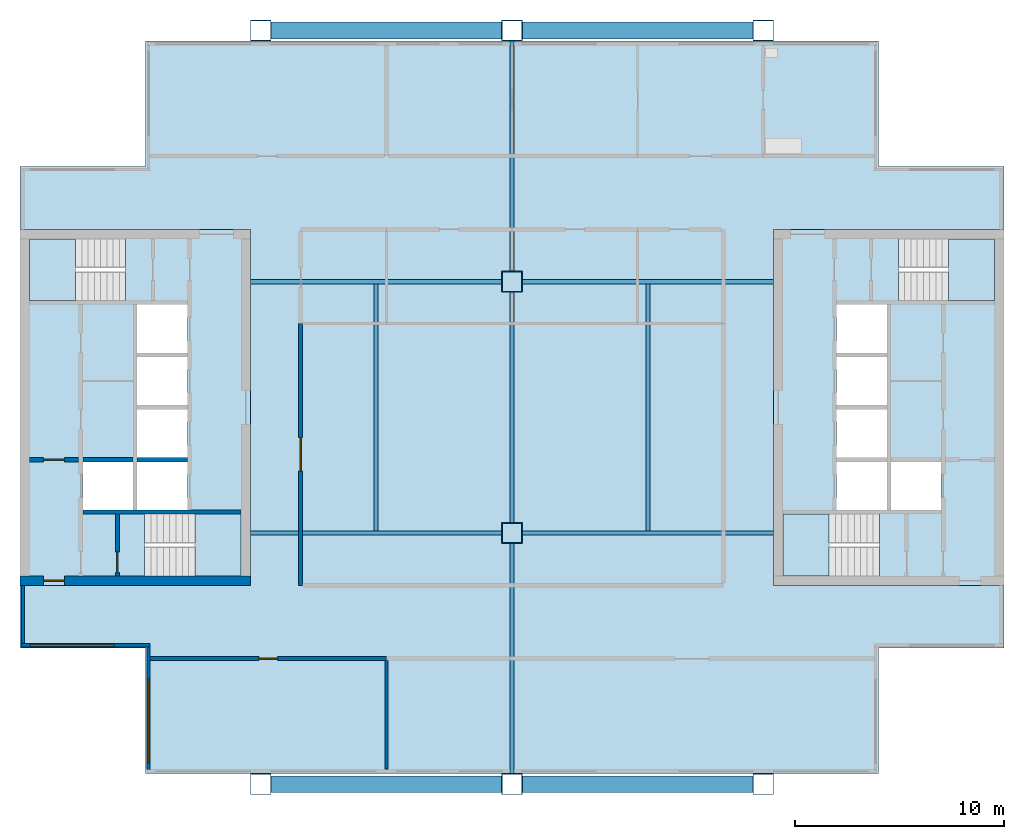
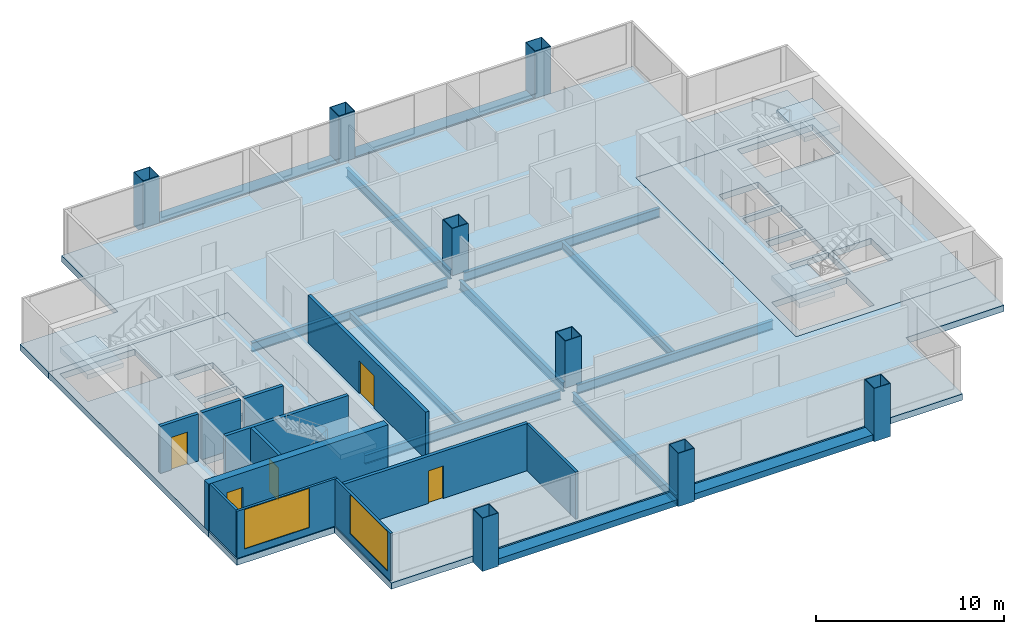
# One storey, part 1 of 7: 13 beams, 12 walls, 8 columns, 7 slabs, 5 doors, 2 windows, 7 openings, 4 elements without a shape of their own.
"""IFC4 building model written with IfcOpenShell, lengths in metres."""

from ifc_helpers import new_model, si_unit, direction, frame, frame_2d, origin, origin_2d, place, context, subcontext, project, spatial, polyline, rectangle, hollow_rectangle, i_section, outline, extrude, material, layer, layer_set, material_profile, profile_set, type_object, element, fill, aggregate, save


model = new_model("IFC4")

# Units and contexts
model_context = context("Model", 3, precision=1e-05, world=origin(), true_north=direction((0.0, 1.0)))
body_context = subcontext(model_context, "Body", "Model", "MODEL_VIEW")
ifc_project = project(units=[si_unit("LENGTHUNIT", "METRE"), si_unit("AREAUNIT", "SQUARE_METRE"), si_unit("VOLUMEUNIT", "CUBIC_METRE"), si_unit("PLANEANGLEUNIT", "RADIAN"), si_unit("MASSUNIT", "GRAM", prefix="KILO")], contexts=[model_context])

# Site, building, storey
site_placement = place(None, origin())
site = spatial("IfcSite", under=ifc_project, at=site_placement, CompositionType="ELEMENT")
building_placement = place(site_placement, origin())
building = spatial("IfcBuilding", under=site, at=building_placement, Name="Kitamizu Gate Tower and Museum", CompositionType="ELEMENT")
storey_placement = place(building_placement, frame((0.0, 0.0, 245.550048828125)))
storey = spatial("IfcBuildingStorey", under=building, at=storey_placement, Name="L66", CompositionType="ELEMENT", Elevation=245.550048828125)

# Columns
ifc_material_1 = material(Name="Steel SM490A bronze coated", Category="steel")
ifc_material_profile_1 = material_profile(ifc_material_1, hollow_rectangle(XDim=1.0, YDim=1.0, WallThickness=0.035888671875, at=origin_2d()), Name="BOX 1000x1000x36")
ifc_profile_set_1 = profile_set([ifc_material_profile_1], Name="Steel SM490A bronze coated")
column_type_1 = type_object("IfcColumnType", Name="Exoskeleton column XC9 BOX 1000x1000x36", PredefinedType="COLUMN", material=ifc_profile_set_1)
for number, where, z_axis, x_axis, name in (
    (1, (24.0, 12.0, -0.400146484375), (0.0, 0.0, 1.0), (1.0, 0.0, 0.0), "Column XC9 3B L66"),
    (2, (24.0, 48.0, -0.400146484375), (0.0, 0.0, 1.0), (1.0, 0.0, 0.0), "Column XC9 3E L66"),
    (3, (36.0, 12.0, -0.400146484375), (0.0, 0.0, 1.0), (1.0, 0.0, 0.0), "Column XC9 4B L66"),
    (4, (36.0, 48.0, -0.400146484375), (0.0, 0.0, 1.0), (1.0, 0.0, 0.0), "Column XC9 4E L66"),
    (5, (48.0, 12.0, -0.400146484375), (0.0, 0.0, 1.0), (1.0, 0.0, 0.0), "Column XC9 5B L66"),
    (6, (48.0, 48.0, -0.400146484375), (0.0, 0.0, 1.0), (1.0, 0.0, 0.0), "Column XC9 5E L66"),
):
    element("IfcColumn", number, at=place(storey_placement, frame(where, z_axis=z_axis, x_axis=x_axis)), inside=storey, type_object=column_type_1, Name=name, PredefinedType="COLUMN", context=body_context, shape_type="SweptSolid", body=[
        extrude(hollow_rectangle(XDim=1.0, YDim=1.0, WallThickness=0.035888671875, at=origin_2d()), origin(), (0.0, 0.0, 1.0), 3.4501953125),
    ])
ifc_material_2 = material(Name="Steel SM490A", Category="steel")
ifc_material_profile_2 = material_profile(ifc_material_2, hollow_rectangle(XDim=1.0, YDim=1.0, WallThickness=0.0400390625, at=origin_2d()), Name="BOX 1000x1000x40")
ifc_profile_set_2 = profile_set([ifc_material_profile_2], Name="Steel SM490A")
column_type_2 = type_object("IfcColumnType", Name="Interior column IC5 BOX 1000x1000x40", PredefinedType="COLUMN", material=ifc_profile_set_2)
for number, where, z_axis, x_axis, name in (
    (7, (36.0, 24.0, 0.0), (0.0, 0.0, 1.0), (1.0, 0.0, 0.0), "Column IC5 4C L66"),
    (8, (36.0, 36.0, 0.0), (0.0, 0.0, 1.0), (1.0, 0.0, 0.0), "Column IC5 4D L66"),
):
    element("IfcColumn", number, at=place(storey_placement, frame(where, z_axis=z_axis, x_axis=x_axis)), inside=storey, type_object=column_type_2, Name=name, PredefinedType="COLUMN", context=body_context, shape_type="SweptSolid", body=[
        extrude(hollow_rectangle(XDim=1.0, YDim=1.0, WallThickness=0.0400390625, at=origin_2d()), origin(), (0.0, 0.0, 1.0), 3.050048828125),
    ])

# Beams
ifc_material_3 = material(Name="Steel SM490A bronze coated", Category="steel")
ifc_material_profile_3 = material_profile(ifc_material_3, hollow_rectangle(XDim=0.800048828125, YDim=0.39990234375, WallThickness=0.0400390625, at=origin_2d()), Name="BOX 800x400x40")
ifc_profile_set_3 = profile_set([ifc_material_profile_3], Name="Steel SM490A bronze coated")
beam_type_1 = type_object("IfcBeamType", Name="Exoskeleton spandrel beam SB1 BOX 800x400x40", PredefinedType="SPANDREL", material=ifc_profile_set_3)
for number, where, z_axis, x_axis, name in (
    (9, (24.5, 12.0, -0.199951171875), (1.0, 0.0, 0.0), (0.0, 1.0, 0.0), "Exoskeleton spandrel beam south 24 L66"),
    (10, (36.5, 12.0, -0.199951171875), (1.0, 0.0, 0.0), (0.0, 1.0, 0.0), "Exoskeleton spandrel beam south 36 L66"),
    (11, (24.5, 48.0, -0.199951171875), (1.0, 0.0, 0.0), (0.0, 1.0, 0.0), "Exoskeleton spandrel beam north 24 L66"),
    (12, (36.5, 48.0, -0.199951171875), (1.0, 0.0, 0.0), (0.0, 1.0, 0.0), "Exoskeleton spandrel beam north 36 L66"),
):
    element("IfcBeam", number, at=place(storey_placement, frame(where, z_axis=z_axis, x_axis=x_axis)), inside=storey, type_object=beam_type_1, Name=name, PredefinedType="SPANDREL", context=body_context, shape_type="SweptSolid", body=[
        extrude(hollow_rectangle(XDim=0.800048828125, YDim=0.39990234375, WallThickness=0.0400390625, at=origin_2d()), origin(), (0.0, 0.0, 1.0), 11.0),
    ])
ifc_material_4 = material(Name="Steel SM490A", Category="steel")
ifc_material_profile_4 = material_profile(ifc_material_4, i_section(OverallWidth=0.199951171875, OverallDepth=0.5, WebThickness=0.010009765625, FlangeThickness=0.01611328125, FilletRadius=0.02001953125, at=origin_2d()), Name="H-500x200x10x16")
ifc_profile_set_4 = profile_set([ifc_material_profile_4], Name="Steel SM490A")
beam_type_2 = type_object("IfcBeamType", Name="Floor beam FB1 H 500x200x10x16", PredefinedType="BEAM", material=ifc_profile_set_4)
for number, where, z_axis, x_axis, name in (
    (13, (29.5, 24.10009765625, -0.650146484375), (0.0, 1.0, 0.0), (-1.0, 0.0, 0.0), "Floor beam FB1 L66-1"),
    (14, (42.5, 24.10009765625, -0.650146484375), (0.0, 1.0, 0.0), (-1.0, 0.0, 0.0), "Floor beam FB1 L66-2"),
):
    element("IfcBeam", number, at=place(storey_placement, frame(where, z_axis=z_axis, x_axis=x_axis)), inside=storey, type_object=beam_type_2, Name=name, PredefinedType="BEAM", context=body_context, shape_type="SweptSolid", body=[
        extrude(i_section(OverallWidth=0.199951171875, OverallDepth=0.5, WebThickness=0.010009765625, FlangeThickness=0.01611328125, FilletRadius=0.02001953125, at=origin_2d()), origin(), (0.0, 0.0, 1.0), 11.7998046875),
    ])
ifc_material_5 = material(Name="Steel SM490A", Category="steel")
ifc_material_profile_5 = material_profile(ifc_material_5, i_section(OverallWidth=0.199951171875, OverallDepth=0.60009765625, WebThickness=0.010986328125, FlangeThickness=0.01708984375, FilletRadius=0.02197265625, at=origin_2d()), Name="H-600x200x11x17")
ifc_profile_set_5 = profile_set([ifc_material_profile_5], Name="Steel SM490A")
beam_type_3 = type_object("IfcBeamType", Name="Floor girder FG1 H 600x200x11x17", PredefinedType="BEAM", material=ifc_profile_set_5)
for number, where, z_axis, x_axis, name in (
    (15, (36.0, 12.5, -0.699951171875), (0.0, 1.0, 0.0), (-1.0, 0.0, 0.0), "Floor girder FG1 x36 L66"),
    (16, (36.0, 24.5, -0.699951171875), (0.0, 1.0, 0.0), (-1.0, 0.0, 0.0), "Floor girder FG1 x36 L66"),
    (17, (36.0, 36.5, -0.699951171875), (0.0, 1.0, 0.0), (-1.0, 0.0, 0.0), "Floor girder FG1 x36 L66"),
):
    element("IfcBeam", number, at=place(storey_placement, frame(where, z_axis=z_axis, x_axis=x_axis)), inside=storey, type_object=beam_type_3, Name=name, PredefinedType="BEAM", context=body_context, shape_type="SweptSolid", body=[
        extrude(i_section(OverallWidth=0.199951171875, OverallDepth=0.60009765625, WebThickness=0.010986328125, FlangeThickness=0.01708984375, FilletRadius=0.02197265625, at=origin_2d()), origin(), (0.0, 0.0, 1.0), 11.0),
    ])
for number, where, z_axis, x_axis, name in (
    (18, (23.5, 24.0, -0.699951171875), (1.0, 0.0, 0.0), (0.0, 1.0, 0.0), "Floor girder FG1 y24 L66"),
    (19, (36.5, 24.0, -0.699951171875), (1.0, 0.0, 0.0), (0.0, 1.0, 0.0), "Floor girder FG1 y24 L66"),
    (20, (23.5, 36.0, -0.699951171875), (1.0, 0.0, 0.0), (0.0, 1.0, 0.0), "Floor girder FG1 y36 L66"),
    (21, (36.5, 36.0, -0.699951171875), (1.0, 0.0, 0.0), (0.0, 1.0, 0.0), "Floor girder FG1 y36 L66"),
):
    element("IfcBeam", number, at=place(storey_placement, frame(where, z_axis=z_axis, x_axis=x_axis)), inside=storey, type_object=beam_type_3, Name=name, PredefinedType="BEAM", context=body_context, shape_type="SweptSolid", body=[
        extrude(i_section(OverallWidth=0.199951171875, OverallDepth=0.60009765625, WebThickness=0.010986328125, FlangeThickness=0.01708984375, FilletRadius=0.02197265625, at=origin_2d()), origin(), (0.0, 0.0, 1.0), 12.0),
    ])

# Slabs
ifc_material_6 = material(Name="Concrete Fc36", Category="concrete")
ifc_layer_1 = layer(ifc_material_6, 0.39990234375)
ifc_layer_set_1 = layer_set([ifc_layer_1], Name="Concrete Fc36")
slab_type_1 = type_object("IfcSlabType", Name="Core floor slab 400", PredefinedType="FLOOR", material=ifc_layer_set_1)
slab_1_placement = place(storey_placement, frame((0.0, 0.0, -0.400146484375)))
element("IfcSlab", 22, at=slab_1_placement, inside=storey, type_object=slab_type_1, Name="Core floor slab W", PredefinedType="FLOOR", context=body_context, shape_type="SweptSolid", body=[
    extrude(outline(polyline([(12.5, 21.5), (23.5, 21.5), (23.5, 38.5), (12.5, 38.5), (12.5, 21.5)]), holes=[polyline([(15.5, 25.10009765625), (17.89990234375, 25.10009765625), (17.89990234375, 27.39990234375), (15.5, 27.39990234375), (15.5, 25.10009765625)]), polyline([(18.10009765625, 25.10009765625), (20.5, 25.10009765625), (20.5, 27.39990234375), (18.10009765625, 27.39990234375), (18.10009765625, 25.10009765625)]), polyline([(18.10009765625, 27.60009765625), (20.5, 27.60009765625), (20.5, 29.89990234375), (18.10009765625, 29.89990234375), (18.10009765625, 27.60009765625)]), polyline([(18.10009765625, 30.10009765625), (20.5, 30.10009765625), (20.5, 32.39990234375), (18.10009765625, 32.39990234375), (18.10009765625, 30.10009765625)]), polyline([(18.10009765625, 32.60009765625), (20.5, 32.60009765625), (20.5, 34.89990234375), (18.10009765625, 34.89990234375), (18.10009765625, 32.60009765625)]), polyline([(18.45068359375, 21.949951171875), (23.050048828125, 21.949951171875), (23.050048828125, 24.89990234375), (18.45068359375, 24.89990234375), (18.45068359375, 21.949951171875)]), polyline([(12.949951171875, 35.10009765625), (17.54931640625, 35.10009765625), (17.54931640625, 38.050048828125), (12.949951171875, 38.050048828125), (12.949951171875, 35.10009765625)])]), origin(), (0.0, 0.0, 1.0), 0.400146484375),
])
slab_2_placement = place(storey_placement, frame((0.0, 0.0, -0.400146484375)))
element("IfcSlab", 23, at=slab_2_placement, inside=storey, type_object=slab_type_1, Name="Core floor slab E", PredefinedType="FLOOR", context=body_context, shape_type="SweptSolid", body=[
    extrude(outline(polyline([(48.5, 21.5), (59.5, 21.5), (59.5, 38.5), (48.5, 38.5), (48.5, 21.5)]), holes=[polyline([(54.10009765625, 25.10009765625), (56.5, 25.10009765625), (56.5, 27.39990234375), (54.10009765625, 27.39990234375), (54.10009765625, 25.10009765625)]), polyline([(51.5, 25.10009765625), (53.89990234375, 25.10009765625), (53.89990234375, 27.39990234375), (51.5, 27.39990234375), (51.5, 25.10009765625)]), polyline([(51.5, 27.60009765625), (53.89990234375, 27.60009765625), (53.89990234375, 29.89990234375), (51.5, 29.89990234375), (51.5, 27.60009765625)]), polyline([(51.5, 30.10009765625), (53.89990234375, 30.10009765625), (53.89990234375, 32.39990234375), (51.5, 32.39990234375), (51.5, 30.10009765625)]), polyline([(51.5, 32.60009765625), (53.89990234375, 32.60009765625), (53.89990234375, 34.89990234375), (51.5, 34.89990234375), (51.5, 32.60009765625)]), polyline([(48.949951171875, 21.949951171875), (53.54931640625, 21.949951171875), (53.54931640625, 24.89990234375), (48.949951171875, 24.89990234375), (48.949951171875, 21.949951171875)]), polyline([(54.45068359375, 35.10009765625), (59.050048828125, 35.10009765625), (59.050048828125, 38.050048828125), (54.45068359375, 38.050048828125), (54.45068359375, 35.10009765625)])]), origin(), (0.0, 0.0, 1.0), 0.400146484375),
])
ifc_material_7 = material(Name="Concrete Fc36", Category="concrete")
ifc_layer_2 = layer(ifc_material_7, 0.39990234375)
ifc_layer_set_2 = layer_set([ifc_layer_2], Name="Concrete Fc36")
slab_type_2 = type_object("IfcSlabType", Name="Post tensioned flat slab 400", PredefinedType="FLOOR", material=ifc_layer_set_2)
slab_3_placement = place(storey_placement, frame((0.0, 0.0, -0.400146484375)))
element("IfcSlab", 24, at=slab_3_placement, inside=storey, type_object=slab_type_2, Name="Floor slab L66-1", PredefinedType="FLOOR", context=body_context, shape_type="SweptSolid", body=[
    extrude(outline(polyline([(12.5, 18.5), (12.5, 21.5), (23.5, 21.5), (23.5, 38.5), (12.5, 38.5), (12.5, 41.5), (18.5, 41.5), (18.5, 47.5), (53.5, 47.5), (53.5, 41.5), (59.5, 41.5), (59.5, 38.5), (48.5, 38.5), (48.5, 21.5), (59.5, 21.5), (59.5, 18.5), (53.5, 18.5), (53.5, 12.5), (18.5, 12.5), (18.5, 18.5), (12.5, 18.5)])), origin(), (0.0, 0.0, 1.0), 0.400146484375),
])

# Stair, slab
ifc_material_8 = material(Name="Concrete Fc42", Category="concrete")
stair_type = type_object("IfcStairType", Name="Exit stair 1375 wide 192 rise 300 going", PredefinedType="HALF_TURN_STAIR", material=ifc_material_8)
stair_1_placement = place(storey_placement, origin())
stair_1 = element("IfcStair", 25, at=stair_1_placement, inside=storey, type_object=stair_type, Name="Exit stair ST1", PredefinedType="HALF_TURN_STAIR")
ifc_material_9 = material(Name="Concrete Fc42", Category="concrete")
ifc_layer_3 = layer(ifc_material_9, 0.300048828125)
ifc_layer_set_3 = layer_set([ifc_layer_3], Name="Concrete Fc42")
slab_type_3 = type_object("IfcSlabType", Name="Stair landing 300", PredefinedType="LANDING", material=ifc_layer_set_3)
slab_4_placement = place(storey_placement, frame((0.0, 0.0, 1.425048828125)))
slab_4 = element("IfcSlab", 26, at=slab_4_placement, type_object=slab_type_3, Name="ST1 landing 1", PredefinedType="LANDING", context=body_context, shape_type="SweptSolid", body=[
    extrude(outline(polyline([(20.85009765625, 21.949951171875), (23.050048828125, 21.949951171875), (23.050048828125, 24.89990234375), (20.85009765625, 24.89990234375), (20.85009765625, 21.949951171875)])), origin(), (0.0, 0.0, 1.0), 0.2998046875),
])
aggregate(stair_1, [slab_4])

stair_2_placement = place(storey_placement, origin())
stair_2 = element("IfcStair", 27, at=stair_2_placement, inside=storey, type_object=stair_type, Name="Exit stair ST2", PredefinedType="HALF_TURN_STAIR")
slab_5_placement = place(storey_placement, frame((0.0, 0.0, 1.425048828125)))
slab_5 = element("IfcSlab", 28, at=slab_5_placement, type_object=slab_type_3, Name="ST2 landing 1", PredefinedType="LANDING", context=body_context, shape_type="SweptSolid", body=[
    extrude(outline(polyline([(12.949951171875, 35.10009765625), (15.14990234375, 35.10009765625), (15.14990234375, 38.050048828125), (12.949951171875, 38.050048828125), (12.949951171875, 35.10009765625)])), origin(), (0.0, 0.0, 1.0), 0.2998046875),
])
aggregate(stair_2, [slab_5])

stair_3_placement = place(storey_placement, origin())
stair_3 = element("IfcStair", 29, at=stair_3_placement, inside=storey, type_object=stair_type, Name="Exit stair ST3", PredefinedType="HALF_TURN_STAIR")
slab_6_placement = place(storey_placement, frame((0.0, 0.0, 1.425048828125)))
slab_6 = element("IfcSlab", 30, at=slab_6_placement, type_object=slab_type_3, Name="ST3 landing 1", PredefinedType="LANDING", context=body_context, shape_type="SweptSolid", body=[
    extrude(outline(polyline([(48.949951171875, 21.949951171875), (51.14990234375, 21.949951171875), (51.14990234375, 24.89990234375), (48.949951171875, 24.89990234375), (48.949951171875, 21.949951171875)])), origin(), (0.0, 0.0, 1.0), 0.2998046875),
])
aggregate(stair_3, [slab_6])

stair_4_placement = place(storey_placement, origin())
stair_4 = element("IfcStair", 31, at=stair_4_placement, inside=storey, type_object=stair_type, Name="Exit stair ST4", PredefinedType="HALF_TURN_STAIR")
slab_7_placement = place(storey_placement, frame((0.0, 0.0, 1.425048828125)))
slab_7 = element("IfcSlab", 32, at=slab_7_placement, type_object=slab_type_3, Name="ST4 landing 1", PredefinedType="LANDING", context=body_context, shape_type="SweptSolid", body=[
    extrude(outline(polyline([(56.85009765625, 35.10009765625), (59.050048828125, 35.10009765625), (59.050048828125, 38.050048828125), (56.85009765625, 38.050048828125), (56.85009765625, 35.10009765625)])), origin(), (0.0, 0.0, 1.0), 0.2998046875),
])
aggregate(stair_4, [slab_7])

# Wall, opening, door
ifc_material_10 = material(Name="Concrete Fc42", Category="concrete")
ifc_layer_4 = layer(ifc_material_10, 0.449951171875)
ifc_layer_set_4 = layer_set([ifc_layer_4], Name="Concrete Fc42")
wall_type_1 = type_object("IfcWallType", Name="Core wall 450", PredefinedType="SHEAR", material=ifc_layer_set_4)
wall_1_placement = place(storey_placement, frame((12.5, 21.72509765625, 0.0), z_axis=(0.0, 0.0, 1.0), x_axis=(1.0, 0.0, 0.0)))
wall_1 = element("IfcWall", 33, at=wall_1_placement, inside=storey, type_object=wall_type_1, Name="Core wall WS", PredefinedType="SHEAR", context=body_context, shape_type="SweptSolid", body=[
    extrude(rectangle(XDim=11.0, YDim=0.449951171875, at=frame_2d((5.5, 0.0))), origin(), (0.0, 0.0, 1.0), 3.050048828125),
])
opening_1_placement = place(wall_1_placement, frame((1.125, 0.0, 0.0)))
opening_1 = element("IfcOpeningElement", 34, at=opening_1_placement, cuts=wall_1, Name="Opening L66-018", PredefinedType="OPENING", context=body_context, shape_type="SweptSolid", body=[
    extrude(rectangle(XDim=1.0, YDim=2.10009765625, at=frame_2d((0.5, 1.050048828125))), frame((0.0, 0.23486328125, 0.0), z_axis=(0.0, -1.0, 0.0), x_axis=(1.0, 0.0, 0.0)), (0.0, 0.0, 1.0), 0.469970703125),
])
ifc_material_11 = material(Name="Hollow metal door set")
door_type_1 = type_object("IfcDoorType", Name="Fire door 1000", OperationType="NOTDEFINED", PredefinedType="DOOR", material=ifc_material_11)
door_1_placement = place(opening_1_placement, origin())
door_1 = element("IfcDoor", 35, at=door_1_placement, inside=storey, type_object=door_type_1, Name="Fire-fighting lobby door L66-018", OperationType="SINGLE_SWING_LEFT", OverallHeight=2.10009765625, OverallWidth=1.0, PredefinedType="DOOR", context=body_context, shape_type="SweptSolid", body=[
    extrude(rectangle(XDim=1.0, YDim=2.10009765625, at=frame_2d((0.5, 1.050048828125))), frame((0.0, 0.02490234375, 0.0), z_axis=(0.0, -1.0, 0.0), x_axis=(1.0, 0.0, 0.0)), (0.0, 0.0, 1.0), 0.050048828125),
])
fill(opening_1, door_1)

# Wall
ifc_material_12 = material(Name="Gypsum board on galvanised stud")
ifc_layer_5 = layer(ifc_material_12, 0.14990234375)
ifc_layer_set_5 = layer_set([ifc_layer_5], Name="Gypsum board on galvanised stud")
wall_type_2 = type_object("IfcWallType", Name="Partition 150", PredefinedType="PARTITIONING", material=ifc_layer_set_5)
wall_2_placement = place(storey_placement, frame((30.0, 12.719970703125, 0.0), z_axis=(0.0, 0.0, 1.0), x_axis=(0.0, 1.0, 0.0)))
element("IfcWall", 36, at=wall_2_placement, inside=storey, type_object=wall_type_2, Name="Partition L66-010", PredefinedType="PARTITIONING", context=body_context, shape_type="SweptSolid", body=[
    extrude(rectangle(XDim=5.179931640625, YDim=0.14990234375, at=frame_2d((2.58984375, 0.0))), origin(), (0.0, 0.0, 1.0), 3.050048828125),
])

# Wall, opening, door
ifc_material_13 = material(Name="Gypsum board on galvanised stud")
ifc_layer_6 = layer(ifc_material_13, 0.199951171875)
ifc_layer_set_6 = layer_set([ifc_layer_6], Name="Gypsum board on galvanised stud")
wall_type_3 = type_object("IfcWallType", Name="Partition 200", PredefinedType="PARTITIONING", material=ifc_layer_set_6)
wall_3_placement = place(storey_placement, frame((30.0, 18.0, 0.0), z_axis=(0.0, 0.0, 1.0), x_axis=(-1.0, 0.0, 0.0)))
wall_3 = element("IfcWall", 37, at=wall_3_placement, inside=storey, type_object=wall_type_3, Name="Partition L66-011", PredefinedType="PARTITIONING", context=body_context, shape_type="SweptSolid", body=[
    extrude(rectangle(XDim=11.280029296875, YDim=0.199951171875, at=frame_2d((5.64013671875, 0.0))), origin(), (0.0, 0.0, 1.0), 3.050048828125),
])
opening_2_placement = place(wall_3_placement, frame((5.18994140625, 0.0, 0.0)))
opening_2 = element("IfcOpeningElement", 38, at=opening_2_placement, cuts=wall_3, Name="Opening L66-006", PredefinedType="OPENING", context=body_context, shape_type="SweptSolid", body=[
    extrude(rectangle(XDim=0.89990234375, YDim=2.10009765625, at=frame_2d((0.449951171875, 1.050048828125))), frame((0.0, 0.10986328125, 0.0), z_axis=(0.0, -1.0, 0.0), x_axis=(1.0, 0.0, 0.0)), (0.0, 0.0, 1.0), 0.219970703125),
])
ifc_material_14 = material(Name="Timber door set", Category="wood")
door_type_2 = type_object("IfcDoorType", Name="Room door 900", OperationType="NOTDEFINED", PredefinedType="DOOR", material=ifc_material_14)
door_2_placement = place(opening_2_placement, origin())
door_2 = element("IfcDoor", 39, at=door_2_placement, inside=storey, type_object=door_type_2, Name="Door L66-006", OperationType="SINGLE_SWING_LEFT", OverallHeight=2.10009765625, OverallWidth=0.89990234375, PredefinedType="DOOR", context=body_context, shape_type="SweptSolid", body=[
    extrude(rectangle(XDim=0.89990234375, YDim=2.10009765625, at=frame_2d((0.449951171875, 1.050048828125))), frame((0.0, 0.02490234375, 0.0), z_axis=(0.0, -1.0, 0.0), x_axis=(1.0, 0.0, 0.0)), (0.0, 0.0, 1.0), 0.050048828125),
])
fill(opening_2, door_2)

wall_4_placement = place(storey_placement, frame((25.89990234375, 34.0, 0.0), z_axis=(0.0, 0.0, 1.0), x_axis=(0.0, -1.0, 0.0)))
wall_4 = element("IfcWall", 40, at=wall_4_placement, inside=storey, type_object=wall_type_3, Name="Partition L66-014", PredefinedType="PARTITIONING", context=body_context, shape_type="SweptSolid", body=[
    extrude(rectangle(XDim=12.5, YDim=0.199951171875, at=frame_2d((6.25, 0.0))), origin(), (0.0, 0.0, 1.0), 3.050048828125),
])
opening_3_placement = place(wall_4_placement, frame((5.449951171875, 0.0, 0.0)))
opening_3 = element("IfcOpeningElement", 41, at=opening_3_placement, cuts=wall_4, Name="Opening L66-008", PredefinedType="OPENING", context=body_context, shape_type="SweptSolid", body=[
    extrude(rectangle(XDim=1.60009765625, YDim=2.10009765625, at=frame_2d((0.800048828125, 1.050048828125))), frame((0.0, 0.10986328125, 0.0), z_axis=(0.0, -1.0, 0.0), x_axis=(1.0, 0.0, 0.0)), (0.0, 0.0, 1.0), 0.219970703125),
])
ifc_material_15 = material(Name="Timber door set", Category="wood")
door_type_3 = type_object("IfcDoorType", Name="Double door 1600", OperationType="DOUBLE_DOOR_SINGLE_SWING", PredefinedType="DOOR", material=ifc_material_15)
door_3_placement = place(opening_3_placement, origin())
door_3 = element("IfcDoor", 42, at=door_3_placement, inside=storey, type_object=door_type_3, Name="Double door L66-008", OperationType="DOUBLE_DOOR_SINGLE_SWING", OverallHeight=2.10009765625, OverallWidth=1.60009765625, PredefinedType="DOOR", context=body_context, shape_type="SweptSolid", body=[
    extrude(rectangle(XDim=1.60009765625, YDim=2.10009765625, at=frame_2d((0.800048828125, 1.050048828125))), frame((0.0, 0.02490234375, 0.0), z_axis=(0.0, -1.0, 0.0), x_axis=(1.0, 0.0, 0.0)), (0.0, 0.0, 1.0), 0.050048828125),
])
fill(opening_3, door_3)

# Wall
ifc_material_16 = material(Name="Concrete Fc42", Category="concrete")
ifc_layer_7 = layer(ifc_material_16, 0.199951171875)
ifc_layer_set_7 = layer_set([ifc_layer_7], Name="Concrete Fc42")
wall_type_4 = type_object("IfcWallType", Name="Shaft wall 200", PredefinedType="SOLIDWALL", material=ifc_layer_set_7)
wall_5_placement = place(storey_placement, frame((15.5, 25.0, 0.0), z_axis=(0.0, 0.0, 1.0), x_axis=(1.0, 0.0, 0.0)))
element("IfcWall", 43, at=wall_5_placement, inside=storey, type_object=wall_type_4, Name="Shaft wall WSB", PredefinedType="SOLIDWALL", context=body_context, shape_type="SweptSolid", body=[
    extrude(rectangle(XDim=7.550048828125, YDim=0.199951171875, at=frame_2d((3.77490234375, 0.0))), origin(), (0.0, 0.0, 1.0), 3.050048828125),
])

# Wall, opening, door
wall_6_placement = place(storey_placement, frame((12.949951171875, 27.5, 0.0), z_axis=(0.0, 0.0, 1.0), x_axis=(1.0, 0.0, 0.0)))
wall_6 = element("IfcWall", 44, at=wall_6_placement, inside=storey, type_object=wall_type_4, Name="Shaft wall WFFN", PredefinedType="SOLIDWALL", context=body_context, shape_type="SweptSolid", body=[
    extrude(rectangle(XDim=2.35009765625, YDim=0.199951171875, at=frame_2d((1.175048828125, 0.0))), origin(), (0.0, 0.0, 1.0), 3.050048828125),
])
opening_4_placement = place(wall_6_placement, frame((0.675048828125, 0.0, 0.0)))
opening_4 = element("IfcOpeningElement", 45, at=opening_4_placement, cuts=wall_6, Name="Opening L66-017", PredefinedType="OPENING", context=body_context, shape_type="SweptSolid", body=[
    extrude(rectangle(XDim=1.0, YDim=2.10009765625, at=frame_2d((0.5, 1.050048828125))), frame((0.0, 0.10986328125, 0.0), z_axis=(0.0, -1.0, 0.0), x_axis=(1.0, 0.0, 0.0)), (0.0, 0.0, 1.0), 0.219970703125),
])
door_4_placement = place(opening_4_placement, frame((1.0, 0.0, 0.0), x_axis=(-1.0, 0.0, 0.0)))
door_4 = element("IfcDoor", 46, at=door_4_placement, inside=storey, type_object=door_type_1, Name="Fire-fighting lobby door L66-017", OperationType="SINGLE_SWING_LEFT", OverallHeight=2.10009765625, OverallWidth=1.0, PredefinedType="DOOR", context=body_context, shape_type="SweptSolid", body=[
    extrude(rectangle(XDim=1.0, YDim=2.10009765625, at=frame_2d((0.5, 1.050048828125))), frame((0.0, 0.02490234375, 0.0), z_axis=(0.0, -1.0, 0.0), x_axis=(1.0, 0.0, 0.0)), (0.0, 0.0, 1.0), 0.050048828125),
])
fill(opening_4, door_4)

wall_7_placement = place(storey_placement, frame((17.14990234375, 21.949951171875, 0.0), z_axis=(0.0, 0.0, 1.0), x_axis=(0.0, 1.0, 0.0)))
wall_7 = element("IfcWall", 47, at=wall_7_placement, inside=storey, type_object=wall_type_4, Name="Shaft wall WSZ", PredefinedType="SOLIDWALL", context=body_context, shape_type="SweptSolid", body=[
    extrude(rectangle(XDim=2.949951171875, YDim=0.199951171875, at=frame_2d((1.47509765625, 0.0))), origin(), (0.0, 0.0, 1.0), 3.050048828125),
])
opening_5_placement = place(wall_7_placement, frame((0.14990234375, 0.0, 0.0)))
opening_5 = element("IfcOpeningElement", 48, at=opening_5_placement, cuts=wall_7, Name="Opening L66-013", PredefinedType="OPENING", context=body_context, shape_type="SweptSolid", body=[
    extrude(rectangle(XDim=1.0, YDim=2.10009765625, at=frame_2d((0.5, 1.050048828125))), frame((0.0, 0.10986328125, 0.0), z_axis=(0.0, -1.0, 0.0), x_axis=(1.0, 0.0, 0.0)), (0.0, 0.0, 1.0), 0.219970703125),
])
door_5_placement = place(opening_5_placement, frame((1.0, 0.0, 0.0), x_axis=(-1.0, 0.0, 0.0)))
door_5 = element("IfcDoor", 49, at=door_5_placement, inside=storey, type_object=door_type_1, Name="Stair door L66-013", OperationType="SINGLE_SWING_LEFT", OverallHeight=2.10009765625, OverallWidth=1.0, PredefinedType="DOOR", context=body_context, shape_type="SweptSolid", body=[
    extrude(rectangle(XDim=1.0, YDim=2.10009765625, at=frame_2d((0.5, 1.050048828125))), frame((0.0, 0.02490234375, 0.0), z_axis=(0.0, -1.0, 0.0), x_axis=(1.0, 0.0, 0.0)), (0.0, 0.0, 1.0), 0.050048828125),
])
fill(opening_5, door_5)

# Walls
for number, where, z_axis, x_axis, name in (
    (50, (15.5, 27.5, 0.0), (0.0, 0.0, 1.0), (1.0, 0.0, 0.0), "Shaft wall WDVW0"),
    (51, (18.10009765625, 27.5, 0.0), (0.0, 0.0, 1.0), (1.0, 0.0, 0.0), "Shaft wall WDVE0"),
):
    element("IfcWall", number, at=place(storey_placement, frame(where, z_axis=z_axis, x_axis=x_axis)), inside=storey, type_object=wall_type_4, Name=name, PredefinedType="SOLIDWALL", context=body_context, shape_type="SweptSolid", body=[
        extrude(rectangle(XDim=2.39990234375, YDim=0.199951171875, at=frame_2d((1.199951171875, 0.0))), origin(), (0.0, 0.0, 1.0), 3.050048828125),
    ])
ifc_material_17 = material(Name="Bronze anodised aluminium frame with insulated spandrel and tinted glass", Category="aluminium")
ifc_layer_8 = layer(ifc_material_17, 0.14990234375)
ifc_layer_set_8 = layer_set([ifc_layer_8], Name="Bronze anodised aluminium frame with insulated spandrel and tinted glass")
wall_type_5 = type_object("IfcWallType", Name="WINDOW WALL 150 BRONZE FRAME EI 30", PredefinedType="ELEMENTEDWALL", material=ifc_layer_set_8)
wall_8_placement = place(storey_placement, frame((12.635009765625, 18.7099609375, 0.0), z_axis=(0.0, 0.0, 1.0), x_axis=(0.0, 1.0, 0.0)))
element("IfcWall", 52, at=wall_8_placement, inside=storey, type_object=wall_type_5, Name="Window wall west L66", PredefinedType="ELEMENTEDWALL", context=body_context, shape_type="SweptSolid", body=[
    extrude(rectangle(XDim=2.7900390625, YDim=0.14990234375, at=frame_2d((1.39501953125, 0.0))), origin(), (0.0, 0.0, 1.0), 3.050048828125),
])

# Wall, opening, window
wall_9_placement = place(storey_placement, frame((12.56005859375, 18.635009765625, 0.0), z_axis=(0.0, 0.0, 1.0), x_axis=(1.0, 0.0, 0.0)))
wall_9 = element("IfcWall", 53, at=wall_9_placement, inside=storey, type_object=wall_type_5, Name="Window wall south L66", PredefinedType="ELEMENTEDWALL", context=body_context, shape_type="SweptSolid", body=[
    extrude(rectangle(XDim=6.14990234375, YDim=0.14990234375, at=frame_2d((3.074951171875, 0.0))), origin(), (0.0, 0.0, 1.0), 3.050048828125),
])
opening_6_placement = place(wall_9_placement, frame((0.43994140625, 0.0, 0.449951171875)))
opening_6 = element("IfcOpeningElement", 54, at=opening_6_placement, cuts=wall_9, Name="Opening W16", PredefinedType="OPENING", context=body_context, shape_type="SweptSolid", body=[
    extrude(rectangle(XDim=4.0, YDim=2.550048828125, at=frame_2d((2.0, 1.27490234375))), frame((0.0, 0.0849609375, 0.0), z_axis=(0.0, -1.0, 0.0), x_axis=(1.0, 0.0, 0.0)), (0.0, 0.0, 1.0), 0.169921875),
])
ifc_material_18 = material(Name="Bronze anodised aluminium frame, tinted triple glazing", Category="aluminium")
window_type = type_object("IfcWindowType", Name="WINDOW 4000 x 2550 SILL 450", PartitioningType="SINGLE_PANEL", PredefinedType="WINDOW", material=ifc_material_18)
window_1_placement = place(opening_6_placement, origin())
window_1 = element("IfcWindow", 55, at=window_1_placement, inside=storey, type_object=window_type, Name="Window W16 L66", OverallHeight=2.550048828125, OverallWidth=4.0, PartitioningType="SINGLE_PANEL", PredefinedType="WINDOW", context=body_context, shape_type="SweptSolid", body=[
    extrude(rectangle(XDim=4.0, YDim=2.550048828125, at=frame_2d((2.0, 1.27490234375))), frame((0.0, 0.030029296875, 0.0), z_axis=(0.0, -1.0, 0.0), x_axis=(1.0, 0.0, 0.0)), (0.0, 0.0, 1.0), 0.06005859375),
])
fill(opening_6, window_1)

wall_10_placement = place(storey_placement, frame((18.635009765625, 12.7099609375, 0.0), z_axis=(0.0, 0.0, 1.0), x_axis=(0.0, 1.0, 0.0)))
wall_10 = element("IfcWall", 56, at=wall_10_placement, inside=storey, type_object=wall_type_5, Name="Window wall west L66", PredefinedType="ELEMENTEDWALL", context=body_context, shape_type="SweptSolid", body=[
    extrude(rectangle(XDim=5.85009765625, YDim=0.14990234375, at=frame_2d((2.925048828125, 0.0))), origin(), (0.0, 0.0, 1.0), 3.050048828125),
])
opening_7_placement = place(wall_10_placement, frame((0.2900390625, 0.0, 0.449951171875)))
opening_7 = element("IfcOpeningElement", 57, at=opening_7_placement, cuts=wall_10, Name="Opening W16", PredefinedType="OPENING", context=body_context, shape_type="SweptSolid", body=[
    extrude(rectangle(XDim=4.0, YDim=2.550048828125, at=frame_2d((2.0, 1.27490234375))), frame((0.0, 0.0849609375, 0.0), z_axis=(0.0, -1.0, 0.0), x_axis=(1.0, 0.0, 0.0)), (0.0, 0.0, 1.0), 0.169921875),
])
window_2_placement = place(opening_7_placement, origin())
window_2 = element("IfcWindow", 58, at=window_2_placement, inside=storey, type_object=window_type, Name="Window W16 L66", OverallHeight=2.550048828125, OverallWidth=4.0, PartitioningType="SINGLE_PANEL", PredefinedType="WINDOW", context=body_context, shape_type="SweptSolid", body=[
    extrude(rectangle(XDim=4.0, YDim=2.550048828125, at=frame_2d((2.0, 1.27490234375))), frame((0.0, 0.030029296875, 0.0), z_axis=(0.0, -1.0, 0.0), x_axis=(1.0, 0.0, 0.0)), (0.0, 0.0, 1.0), 0.06005859375),
])
fill(opening_7, window_2)

save(model, "model.ifc")
